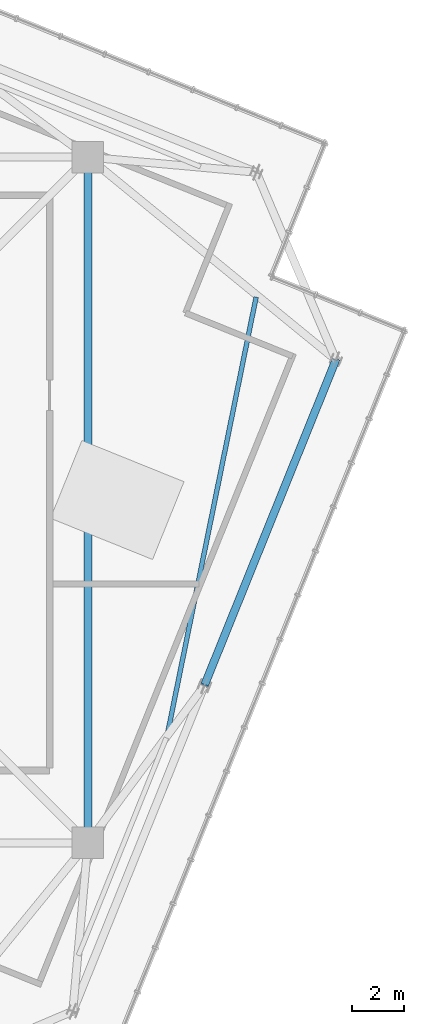
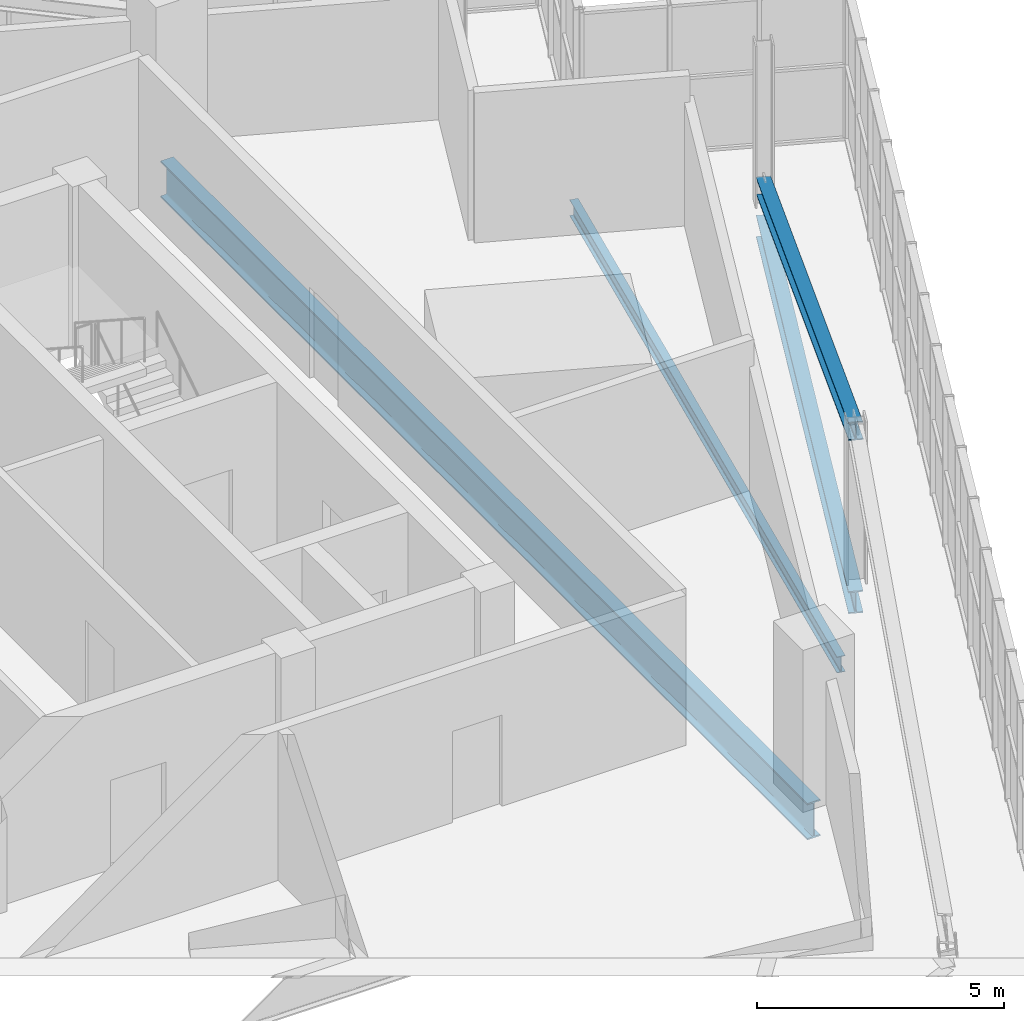
# One storey, part 10 of 26: 3 beams, 1 member.
"""IFC4 building model written with IfcOpenShell, lengths in metres."""

from ifc_helpers import new_model, si_unit, direction, frame, origin, origin_2d, place, context, subcontext, project, spatial, i_section, extrude, source, transform, mapped, material, material_profile, profile_set, type_object, element, save


model = new_model("IFC4")

# Units and contexts
model_context = context("Model", 3, precision=1e-05, world=origin(), true_north=direction((0.0, 1.0)))
body_context = subcontext(model_context, "Body", "Model", "MODEL_VIEW")
ifc_project = project(units=[si_unit("LENGTHUNIT", "METRE"), si_unit("AREAUNIT", "SQUARE_METRE"), si_unit("VOLUMEUNIT", "CUBIC_METRE"), si_unit("PLANEANGLEUNIT", "RADIAN"), si_unit("MASSUNIT", "GRAM", prefix="KILO"), si_unit("THERMODYNAMICTEMPERATUREUNIT", "KELVIN")], contexts=[model_context])

# Site, building, storey
site_placement = place(None, origin())
site = spatial("IfcSite", under=ifc_project, at=site_placement, CompositionType="ELEMENT")
building_placement = place(site_placement, origin())
building = spatial("IfcBuilding", under=site, at=building_placement, Name="Kosmvard Interchange Tower", CompositionType="ELEMENT")
storey_placement = place(building_placement, frame((0.0, 0.0, 329.60009765625)))
storey = spatial("IfcBuildingStorey", under=building, at=storey_placement, Name="L81", CompositionType="ELEMENT", Elevation=329.60009765625)

# Beam
ifc_material = material(Name="Steel S355", Category="steel")
ifc_material_profile_1 = material_profile(ifc_material, i_section(OverallWidth=0.300048828125, OverallDepth=0.89990234375, WebThickness=0.0185546875, FlangeThickness=0.034912109375, FilletRadius=0.030029296875, at=origin_2d()), Name="HEB 900")
ifc_profile_set_1 = profile_set([ifc_material_profile_1], Name="Steel S355")
beam_type_1 = type_object("IfcBeamType", Name="Mega-Column Ring Girder HEB 900 S355", PredefinedType="BEAM", material=ifc_profile_set_1)
shared_shape_1 = source(origin(), body_context, "Body", "SweptSolid", [
    extrude(i_section(OverallWidth=0.300048828125, OverallDepth=0.89990234375, WebThickness=0.0185546875, FlangeThickness=0.034912109375, FilletRadius=0.030029296875, at=origin_2d()), origin(), (0.0, 0.0, 1.0), 26.162109375),
])
beam_1_placement = place(storey_placement, frame((13.0810546875, -13.0810546875, -0.75), z_axis=(0.0, 1.0, 0.0), x_axis=(-1.0, 0.0, 0.0)))
element("IfcBeam", 1, at=beam_1_placement, inside=storey, type_object=beam_type_1, Name="L81 Mega-Column Ring Girder 2", PredefinedType="BEAM", context=body_context, shape_type="MappedRepresentation", body=[
    mapped(shared_shape_1, transform((0.0, 0.0, 0.0), scale=1.0)),
])

# Member
ifc_material_profile_2 = material_profile(ifc_material, i_section(OverallWidth=0.300048828125, OverallDepth=0.39990234375, WebThickness=0.013427734375, FlangeThickness=0.02392578125, FilletRadius=0.027099609375, at=origin_2d()), Name="HEB 400")
ifc_profile_set_2 = profile_set([ifc_material_profile_2], Name="Steel S355")
member_type = type_object("IfcMemberType", Name="Lantern Crown Diagrid Brace HEB 400 S355", PredefinedType="BRACE", material=ifc_profile_set_2)
shared_shape_2 = source(origin(), body_context, "Body", "SweptSolid", [
    extrude(i_section(OverallWidth=0.300048828125, OverallDepth=0.39990234375, WebThickness=0.013427734375, FlangeThickness=0.02392578125, FilletRadius=0.027099609375, at=origin_2d()), origin(), (0.0, 0.0, 1.0), 13.783935546875),
])
member_placement = place(storey_placement, frame((22.54345703125, 5.34423828125, 0.419921875), z_axis=(-0.364177999122, -0.901367558742, 0.234330768366), x_axis=(0.927183187789, -0.374608243744, 0.0)))
element("IfcMember", 2, at=member_placement, inside=storey, type_object=member_type, Name="L81 Crown Lantern Diagrid Brace S2", PredefinedType="BRACE", context=body_context, shape_type="MappedRepresentation", body=[
    mapped(shared_shape_2, transform((0.0, 0.0, 0.0), scale=1.0)),
])

# Beams
ifc_material_profile_3 = material_profile(ifc_material, i_section(OverallWidth=0.300048828125, OverallDepth=0.550048828125, WebThickness=0.014892578125, FlangeThickness=0.029052734375, FilletRadius=0.027099609375, at=origin_2d()), Name="HEB 550")
ifc_profile_set_3 = profile_set([ifc_material_profile_3], Name="Steel S355")
beam_type_2 = type_object("IfcBeamType", Name="Crown Ring Cap Girder HEB 550 S355", PredefinedType="BEAM", material=ifc_profile_set_3)
shared_shape_3 = source(origin(), body_context, "Body", "SweptSolid", [
    extrude(i_section(OverallWidth=0.300048828125, OverallDepth=0.550048828125, WebThickness=0.014892578125, FlangeThickness=0.029052734375, FilletRadius=0.027099609375, at=origin_2d()), origin(), (0.0, 0.0, 1.0), 13.400146484375),
])
beam_2_placement = place(storey_placement, frame((17.523681640625, -7.080078125, -0.5751953125), z_axis=(0.374608243744, 0.927183187789, 0.0), x_axis=(-0.927183187789, 0.374608243744, 0.0)))
element("IfcBeam", 3, at=beam_2_placement, inside=storey, type_object=beam_type_2, Name="BM-L81-PR02", PredefinedType="BEAM", context=body_context, shape_type="MappedRepresentation", body=[
    mapped(shared_shape_3, transform((0.0, 0.0, 0.0), scale=1.0)),
])
ifc_material_profile_4 = material_profile(ifc_material, i_section(OverallWidth=0.179931640625, OverallDepth=0.39990234375, WebThickness=0.008544921875, FlangeThickness=0.013427734375, FilletRadius=0.02099609375, at=origin_2d()), Name="IPE 400")
ifc_profile_set_4 = profile_set([ifc_material_profile_4], Name="Steel S355")
beam_type_3 = type_object("IfcBeamType", Name="Upper-Zone Floor Joist IPE 400 S355", PredefinedType="JOIST", material=ifc_profile_set_4)
shared_shape_4 = source(origin(), body_context, "Body", "SweptSolid", [
    extrude(i_section(OverallWidth=0.179931640625, OverallDepth=0.39990234375, WebThickness=0.008544921875, FlangeThickness=0.013427734375, FilletRadius=0.02099609375, at=origin_2d()), origin(), (0.0, 0.0, 1.0), 17.0029296875),
])
beam_3_placement = place(storey_placement, frame((16.117919921875, -8.921875, -0.5), z_axis=(0.198882162837, 0.98002341059, 0.0), x_axis=(-0.98002341059, 0.198882162837, 0.0)))
element("IfcBeam", 4, at=beam_3_placement, inside=storey, type_object=beam_type_3, Name="BM-L81-FJ02", PredefinedType="JOIST", context=body_context, shape_type="MappedRepresentation", body=[
    mapped(shared_shape_4, transform((0.0, 0.0, 0.0), scale=1.0)),
])

save(model, "model.ifc")
